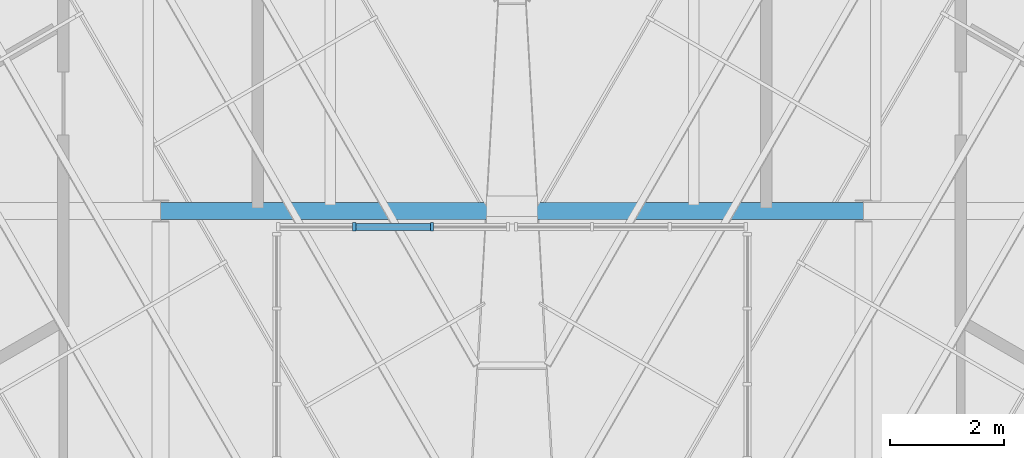
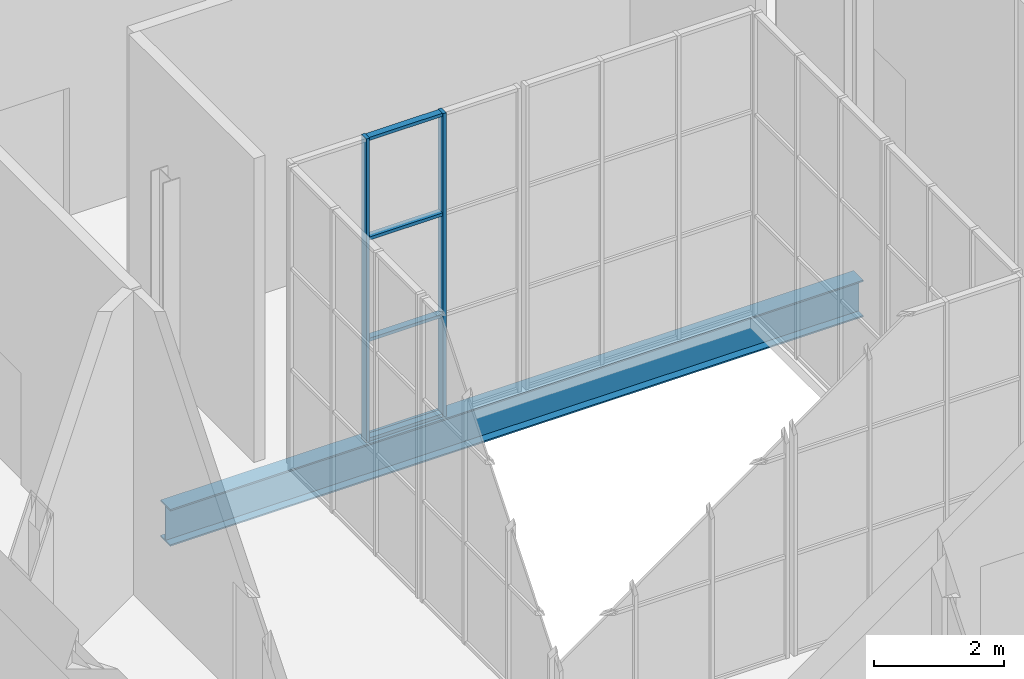
# One storey, part 12 of 36: 6 members, 1 beam, 1 element without a shape of its own.
"""IFC4 building model written with IfcOpenShell, lengths in metres."""

from ifc_helpers import new_model, si_unit, direction, frame, origin, origin_2d, place, context, subcontext, project, spatial, rectangle, i_section, extrude, material, layer, layer_set, material_profile, profile_set, type_object, element, aggregate, save


model = new_model("IFC4")

# Units and contexts
model_context = context("Model", 3, precision=1e-05, world=origin(), true_north=direction((0.0, 1.0)))
body_context = subcontext(model_context, "Body", "Model", "MODEL_VIEW")
ifc_project = project(units=[si_unit("LENGTHUNIT", "METRE"), si_unit("AREAUNIT", "SQUARE_METRE"), si_unit("VOLUMEUNIT", "CUBIC_METRE"), si_unit("PLANEANGLEUNIT", "RADIAN"), si_unit("MASSUNIT", "GRAM", prefix="KILO")], contexts=[model_context])

# Site, building, storey
site_placement = place(None, origin())
site = spatial("IfcSite", under=ifc_project, at=site_placement, CompositionType="ELEMENT")
building_placement = place(site_placement, origin())
building = spatial("IfcBuilding", under=site, at=building_placement, Name="Njiva Tower", CompositionType="ELEMENT")
storey_placement = place(building_placement, frame((0.0, 0.0, 337.8)))
storey = spatial("IfcBuildingStorey", under=building, at=storey_placement, Name="L77", CompositionType="ELEMENT", Elevation=337.8)

# Beam
ifc_material_1 = material(Name="Steel S355 J2", Category="steel")
ifc_material_profile_1 = material_profile(ifc_material_1, i_section(OverallWidth=0.3, OverallDepth=0.69, WebThickness=0.0145, FlangeThickness=0.027, at=origin_2d()), Name="HEA 700")
ifc_profile_set_1 = profile_set([ifc_material_profile_1], Name="Steel S355 J2")
beam_type = type_object("IfcBeamType", Name="B18 Long-span atrium trimmer beam HEA 700", PredefinedType="BEAM", material=ifc_profile_set_1)
beam_placement = place(storey_placement, frame((6.15, -3.2, -0.545), z_axis=(-1.0, 0.0, 0.0), x_axis=(0.0, -1.0, 0.0)))
element("IfcBeam", 1, at=beam_placement, inside=storey, type_object=beam_type, Name="Long-span atrium trimmer beam CR-B052", PredefinedType="BEAM", context=body_context, shape_type="SweptSolid", body=[
    extrude(i_section(OverallWidth=0.3, OverallDepth=0.69, WebThickness=0.0145, FlangeThickness=0.027, at=origin_2d()), origin(), (0.0, 0.0, 1.0), 12.3),
])

# Curtain wall, members
ifc_material_2 = material(Name="Glazed curtain wall", Category="glass")
ifc_layer = layer(ifc_material_2, 0.2)
ifc_layer_set = layer_set([ifc_layer], Name="Glazed curtain wall")
curtain_wall_type = type_object("IfcCurtainWallType", Name="CW5 Atrium lantern glazing", PredefinedType="NOTDEFINED", material=ifc_layer_set)
curtain_wall_placement = place(storey_placement, origin())
curtain_wall = element("IfcCurtainWall", 2, at=curtain_wall_placement, inside=storey, type_object=curtain_wall_type, Name="Atrium lantern north 1", PredefinedType="NOTDEFINED")
ifc_material_3 = material(Name="Aluminium mullion", Category="aluminium")
ifc_material_profile_2 = material_profile(ifc_material_3, rectangle(XDim=0.15, YDim=0.06, at=origin_2d()), Name="RECT 150x60")
ifc_profile_set_2 = profile_set([ifc_material_profile_2], Name="Aluminium mullion")
member_type_1 = type_object("IfcMemberType", Name="CW5-M Lantern mullion 150x60", PredefinedType="MULLION", material=ifc_profile_set_2)
member_1_placement = place(storey_placement, frame((-2.76, -3.48, 0.0), z_axis=(0.0, 0.0, 1.0), x_axis=(0.0, 1.0, 0.0)))
member_1 = element("IfcMember", 3, at=member_1_placement, type_object=member_type_1, Name="CW5-3 mullion 2", PredefinedType="MULLION", context=body_context, shape_type="SweptSolid", body=[
    extrude(rectangle(XDim=0.15, YDim=0.06, at=origin_2d()), origin(), (0.0, 0.0, 1.0), 5.7),
])
member_2_placement = place(storey_placement, frame((-1.4, -3.48, 0.0), z_axis=(0.0, 0.0, 1.0), x_axis=(0.0, 1.0, 0.0)))
member_2 = element("IfcMember", 4, at=member_2_placement, type_object=member_type_1, Name="CW5-3 mullion 3", PredefinedType="MULLION", context=body_context, shape_type="SweptSolid", body=[
    extrude(rectangle(XDim=0.15, YDim=0.06, at=origin_2d()), origin(), (0.0, 0.0, 1.0), 5.7),
])
ifc_material_4 = material(Name="Aluminium transom", Category="aluminium")
ifc_material_profile_3 = material_profile(ifc_material_4, rectangle(XDim=0.12, YDim=0.06, at=origin_2d()), Name="RECT 120x60")
ifc_profile_set_3 = profile_set([ifc_material_profile_3], Name="Aluminium transom")
member_type_2 = type_object("IfcMemberType", Name="CW5-T Lantern transom 120x60", PredefinedType="USERDEFINED", material=ifc_profile_set_3)
member_3_placement = place(storey_placement, frame((-2.73, -3.48, 0.03), z_axis=(1.0, 0.0, 0.0), x_axis=(0.0, 1.0, 0.0)))
member_3 = element("IfcMember", 5, at=member_3_placement, type_object=member_type_2, Name="CW5-3 transom 2.1", ObjectType="TRANSOM", PredefinedType="USERDEFINED", context=body_context, shape_type="SweptSolid", body=[
    extrude(rectangle(XDim=0.12, YDim=0.06, at=origin_2d()), origin(), (0.0, 0.0, 1.0), 1.3),
])
member_4_placement = place(storey_placement, frame((-2.73, -3.48, 1.9), z_axis=(1.0, 0.0, 0.0), x_axis=(0.0, 1.0, 0.0)))
member_4 = element("IfcMember", 6, at=member_4_placement, type_object=member_type_2, Name="CW5-3 transom 2.2", ObjectType="TRANSOM", PredefinedType="USERDEFINED", context=body_context, shape_type="SweptSolid", body=[
    extrude(rectangle(XDim=0.12, YDim=0.06, at=origin_2d()), origin(), (0.0, 0.0, 1.0), 1.3),
])
member_5_placement = place(storey_placement, frame((-2.73, -3.48, 3.8), z_axis=(1.0, 0.0, 0.0), x_axis=(0.0, 1.0, 0.0)))
member_5 = element("IfcMember", 7, at=member_5_placement, type_object=member_type_2, Name="CW5-3 transom 2.3", ObjectType="TRANSOM", PredefinedType="USERDEFINED", context=body_context, shape_type="SweptSolid", body=[
    extrude(rectangle(XDim=0.12, YDim=0.06, at=origin_2d()), origin(), (0.0, 0.0, 1.0), 1.3),
])
member_6_placement = place(storey_placement, frame((-2.73, -3.48, 5.67), z_axis=(1.0, 0.0, 0.0), x_axis=(0.0, 1.0, 0.0)))
member_6 = element("IfcMember", 8, at=member_6_placement, type_object=member_type_2, Name="CW5-3 transom 2.4", ObjectType="TRANSOM", PredefinedType="USERDEFINED", context=body_context, shape_type="SweptSolid", body=[
    extrude(rectangle(XDim=0.12, YDim=0.06, at=origin_2d()), origin(), (0.0, 0.0, 1.0), 1.3),
])
aggregate(curtain_wall, [member_1, member_2, member_3, member_4, member_5, member_6])

save(model, "model.ifc")
